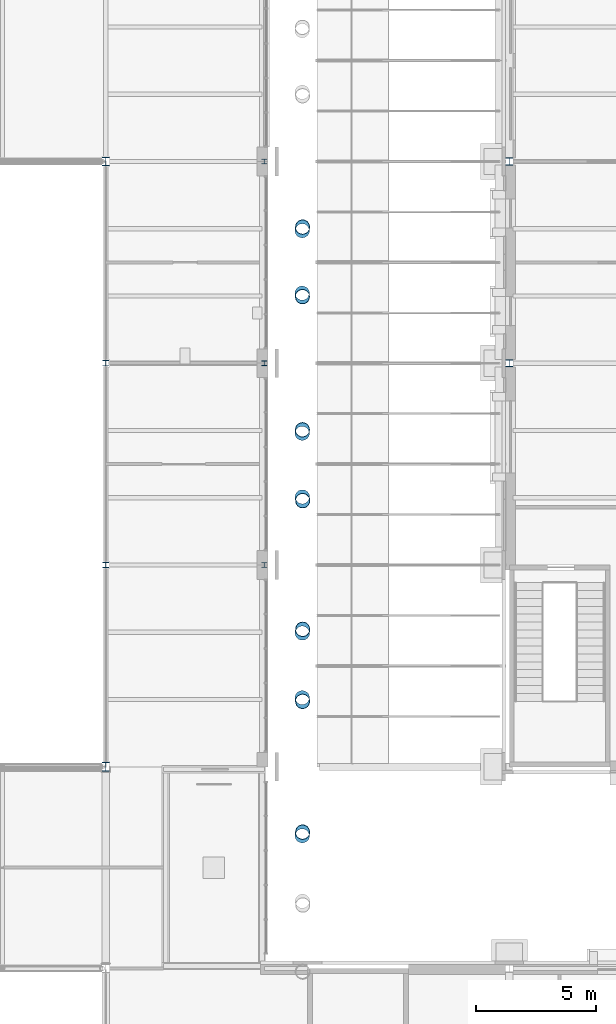
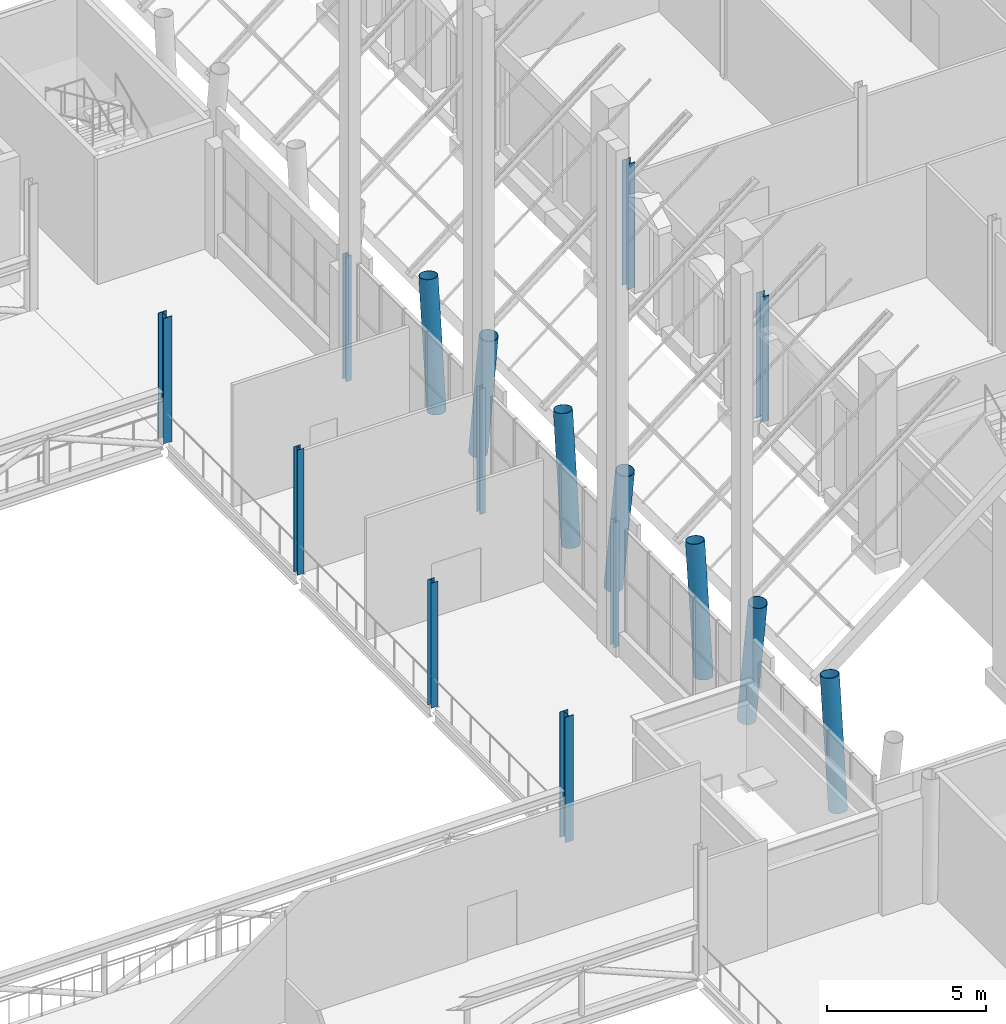
# One storey, part 6 of 76: 16 columns.
"""IFC4 building model written with IfcOpenShell, lengths in metres."""

from ifc_helpers import new_model, si_unit, direction, frame, origin, origin_2d, place, context, subcontext, project, spatial, hollow_circle, i_section, extrude, material, material_profile, profile_set, type_object, element, save


model = new_model("IFC4")

# Units and contexts
model_context = context("Model", 3, precision=1e-05, world=origin(), true_north=direction((0.0, 1.0)))
body_context = subcontext(model_context, "Body", "Model", "MODEL_VIEW")
ifc_project = project(units=[si_unit("LENGTHUNIT", "METRE"), si_unit("AREAUNIT", "SQUARE_METRE"), si_unit("VOLUMEUNIT", "CUBIC_METRE"), si_unit("PLANEANGLEUNIT", "RADIAN"), si_unit("MASSUNIT", "GRAM", prefix="KILO")], contexts=[model_context])

# Site, building, storey
site_placement = place(None, origin())
site = spatial("IfcSite", under=ifc_project, at=site_placement, CompositionType="ELEMENT")
building_placement = place(site_placement, origin())
building = spatial("IfcBuilding", under=site, at=building_placement, Name="Sava Quay Ferry Terminal", CompositionType="ELEMENT")
storey_placement = place(building_placement, frame((0.0, 0.0, 6.0)))
storey = spatial("IfcBuildingStorey", under=building, at=storey_placement, Name="L01", CompositionType="ELEMENT", Elevation=6.0)

# Columns
ifc_material_1 = material(Name="Steel S355", Category="steel")
ifc_material_profile_1 = material_profile(ifc_material_1, i_section(OverallWidth=0.199951171875, OverallDepth=0.199951171875, WebThickness=0.009033203125, FlangeThickness=0.014892578125, at=origin_2d()), Name="HE 200 B")
ifc_profile_set_1 = profile_set([ifc_material_profile_1], Name="Steel S355")
column_type_1 = type_object("IfcColumnType", Name="Column HE 200 B", PredefinedType="COLUMN", material=ifc_profile_set_1)
for number, where, z_axis, x_axis, name in (
    (1, (82.199951171875, 67.199951171875, 0.0), (0.0, 0.0, 1.0), (1.0, 0.0, 0.0), "Column L01 82.2/67.2"),
    (2, (82.199951171875, 75.60009765625, 0.0), (0.0, 0.0, 1.0), (1.0, 0.0, 0.0), "Column L01 82.2/75.6"),
    (3, (82.199951171875, 84.0, 0.0), (0.0, 0.0, 1.0), (1.0, 0.0, 0.0), "Column L01 82.2/84"),
):
    element("IfcColumn", number, at=place(storey_placement, frame(where, z_axis=z_axis, x_axis=x_axis)), inside=storey, type_object=column_type_1, Name=name, PredefinedType="COLUMN", context=body_context, shape_type="SweptSolid", body=[
        extrude(i_section(OverallWidth=0.199951171875, OverallDepth=0.199951171875, WebThickness=0.009033203125, FlangeThickness=0.014892578125, at=origin_2d()), origin(), (0.0, 0.0, 1.0), 4.800048828125),
    ])
ifc_material_2 = material(Name="Steel S355", Category="steel")
ifc_material_profile_2 = material_profile(ifc_material_2, i_section(OverallWidth=0.239990234375, OverallDepth=0.22998046875, WebThickness=0.007568359375, FlangeThickness=0.011962890625, at=origin_2d()), Name="HE 240 A")
ifc_profile_set_2 = profile_set([ifc_material_profile_2], Name="Steel S355")
column_type_2 = type_object("IfcColumnType", Name="Column HE 240 A", PredefinedType="COLUMN", material=ifc_profile_set_2)
for number, where, z_axis, x_axis, name in (
    (4, (75.60009765625, 67.199951171875, 0.0), (0.0, 0.0, 1.0), (1.0, 0.0, 0.0), "Column L01 75.6/67.2"),
    (5, (75.60009765625, 75.60009765625, 0.0), (0.0, 0.0, 1.0), (1.0, 0.0, 0.0), "Column L01 75.6/75.6"),
):
    element("IfcColumn", number, at=place(storey_placement, frame(where, z_axis=z_axis, x_axis=x_axis)), inside=storey, type_object=column_type_2, Name=name, PredefinedType="COLUMN", context=body_context, shape_type="SweptSolid", body=[
        extrude(i_section(OverallWidth=0.239990234375, OverallDepth=0.22998046875, WebThickness=0.007568359375, FlangeThickness=0.011962890625, at=origin_2d()), origin(), (0.0, 0.0, 1.0), 4.800048828125),
    ])
ifc_material_3 = material(Name="Steel S355", Category="steel")
ifc_material_profile_3 = material_profile(ifc_material_3, i_section(OverallWidth=0.300048828125, OverallDepth=0.300048828125, WebThickness=0.010986328125, FlangeThickness=0.01904296875, at=origin_2d()), Name="HE 300 B")
ifc_profile_set_3 = profile_set([ifc_material_profile_3], Name="Steel S355")
column_type_3 = type_object("IfcColumnType", Name="Column HE 300 B", PredefinedType="COLUMN", material=ifc_profile_set_3)
for number, where, z_axis, x_axis, name in (
    (6, (92.39990234375, 75.60009765625, 0.0), (0.0, 0.0, 1.0), (1.0, 0.0, 0.0), "Column L01 92.4/75.6"),
    (7, (92.39990234375, 84.0, 0.0), (0.0, 0.0, 1.0), (1.0, 0.0, 0.0), "Column L01 92.4/84"),
):
    element("IfcColumn", number, at=place(storey_placement, frame(where, z_axis=z_axis, x_axis=x_axis)), inside=storey, type_object=column_type_3, Name=name, PredefinedType="COLUMN", context=body_context, shape_type="SweptSolid", body=[
        extrude(i_section(OverallWidth=0.300048828125, OverallDepth=0.300048828125, WebThickness=0.010986328125, FlangeThickness=0.01904296875, at=origin_2d()), origin(), (0.0, 0.0, 1.0), 4.800048828125),
    ])
ifc_material_4 = material(Name="Steel S355", Category="steel")
ifc_material_profile_4 = material_profile(ifc_material_4, i_section(OverallWidth=0.300048828125, OverallDepth=0.360107421875, WebThickness=0.012451171875, FlangeThickness=0.0224609375, at=origin_2d()), Name="HE 360 B")
ifc_profile_set_4 = profile_set([ifc_material_profile_4], Name="Steel S355")
column_type_4 = type_object("IfcColumnType", Name="Column HE 360 B", PredefinedType="COLUMN", material=ifc_profile_set_4)
for number, where, z_axis, x_axis, name in (
    (8, (75.60009765625, 58.800048828125, 0.0), (0.0, 0.0, 1.0), (1.0, 0.0, 0.0), "Column L01 75.6/58.8"),
    (9, (75.60009765625, 84.0, 0.0), (0.0, 0.0, 1.0), (1.0, 0.0, 0.0), "Column L01 75.6/84"),
):
    element("IfcColumn", number, at=place(storey_placement, frame(where, z_axis=z_axis, x_axis=x_axis)), inside=storey, type_object=column_type_4, Name=name, PredefinedType="COLUMN", context=body_context, shape_type="SweptSolid", body=[
        extrude(i_section(OverallWidth=0.300048828125, OverallDepth=0.360107421875, WebThickness=0.012451171875, FlangeThickness=0.0224609375, at=origin_2d()), origin(), (0.0, 0.0, 1.0), 4.800048828125),
    ])
ifc_material_5 = material(Name="Steel S355", Category="steel")
ifc_material_profile_5 = material_profile(ifc_material_5, hollow_circle(Radius=0.304931640625, WallThickness=0.02001953125, at=origin_2d()), Name="CHS 610 x 20.0")
ifc_profile_set_5 = profile_set([ifc_material_profile_5], Name="Steel S355")
column_type_5 = type_object("IfcColumnType", Name="V column CHS 610x20", PredefinedType="COLUMN", material=ifc_profile_set_5)
for number, where, z_axis, x_axis, name in (
    (10, (83.78125, 55.93359375, 0.0), (0.010998920165, 0.125983044275, 0.9919714191), (-0.996210587756, 0.086973931971, 0.0), "Departure hall V column D-VR1a part 2"),
    (11, (83.78125, 61.66650390625, 0.0), (0.010998920165, -0.125983044275, 0.9919714191), (0.996210587756, 0.086973931971, 0.0), "Departure hall V column D-VR1b part 2"),
):
    element("IfcColumn", number, at=place(storey_placement, frame(where, z_axis=z_axis, x_axis=x_axis)), inside=storey, type_object=column_type_5, Name=name, PredefinedType="COLUMN", context=body_context, shape_type="SweptSolid", body=[
        extrude(hollow_circle(Radius=0.304931640625, WallThickness=0.02001953125, at=origin_2d()), origin(), (0.0, 0.0, 1.0), 4.8388671875),
    ])
for number, where, z_axis, x_axis, name in (
    (12, (83.78466796875, 64.37158203125, 0.0), (0.011395037793, 0.130992514098, 0.991317867469), (-0.996237709872, 0.086662710713, 0.0), "Departure hall V column D-VR2a part 2"),
    (13, (83.78466796875, 70.028564453125, 0.0), (0.011394962518, -0.131042068961, 0.991311318906), (0.996240588196, 0.086629616365, 0.0), "Departure hall V column D-VR2b part 2"),
):
    element("IfcColumn", number, at=place(storey_placement, frame(where, z_axis=z_axis, x_axis=x_axis)), inside=storey, type_object=column_type_5, Name=name, PredefinedType="COLUMN", context=body_context, shape_type="SweptSolid", body=[
        extrude(hollow_circle(Radius=0.304931640625, WallThickness=0.02001953125, at=origin_2d()), origin(), (0.0, 0.0, 1.0), 4.842041015625),
    ])
for number, where, z_axis, x_axis, name in (
    (14, (83.777587890625, 72.69091796875, 0.0), (0.010501878321, 0.120317192492, 0.992679950308), (-0.996212299279, 0.086954325745, 0.0), "Departure hall V column D-VR3a part 2"),
    (15, (83.777587890625, 78.509033203125, 0.0), (0.010501878321, -0.120317192492, 0.992679950308), (0.996212299279, 0.086954325745, 0.0), "Departure hall V column D-VR3b part 2"),
):
    element("IfcColumn", number, at=place(storey_placement, frame(where, z_axis=z_axis, x_axis=x_axis)), inside=storey, type_object=column_type_5, Name=name, PredefinedType="COLUMN", context=body_context, shape_type="SweptSolid", body=[
        extrude(hollow_circle(Radius=0.304931640625, WallThickness=0.02001953125, at=origin_2d()), origin(), (0.0, 0.0, 1.0), 4.83544921875),
    ])
column_placement = place(storey_placement, frame((83.780517578125, 81.124755859375, 0.0), z_axis=(0.010899610933, 0.12484091411, 0.992116900695), x_axis=(-0.996210308302, 0.086977132819, 0.0)))
element("IfcColumn", 16, at=column_placement, inside=storey, type_object=column_type_5, Name="Departure hall V column D-VR4a part 2", PredefinedType="COLUMN", context=body_context, shape_type="SweptSolid", body=[
    extrude(hollow_circle(Radius=0.304931640625, WallThickness=0.02001953125, at=origin_2d()), origin(), (0.0, 0.0, 1.0), 4.838134765625),
])

save(model, "model.ifc")
